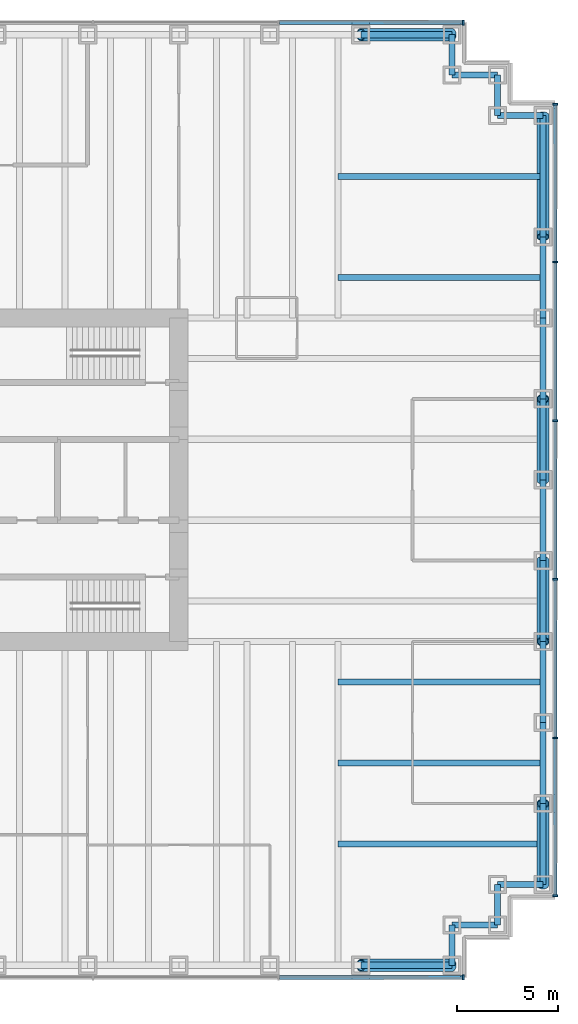
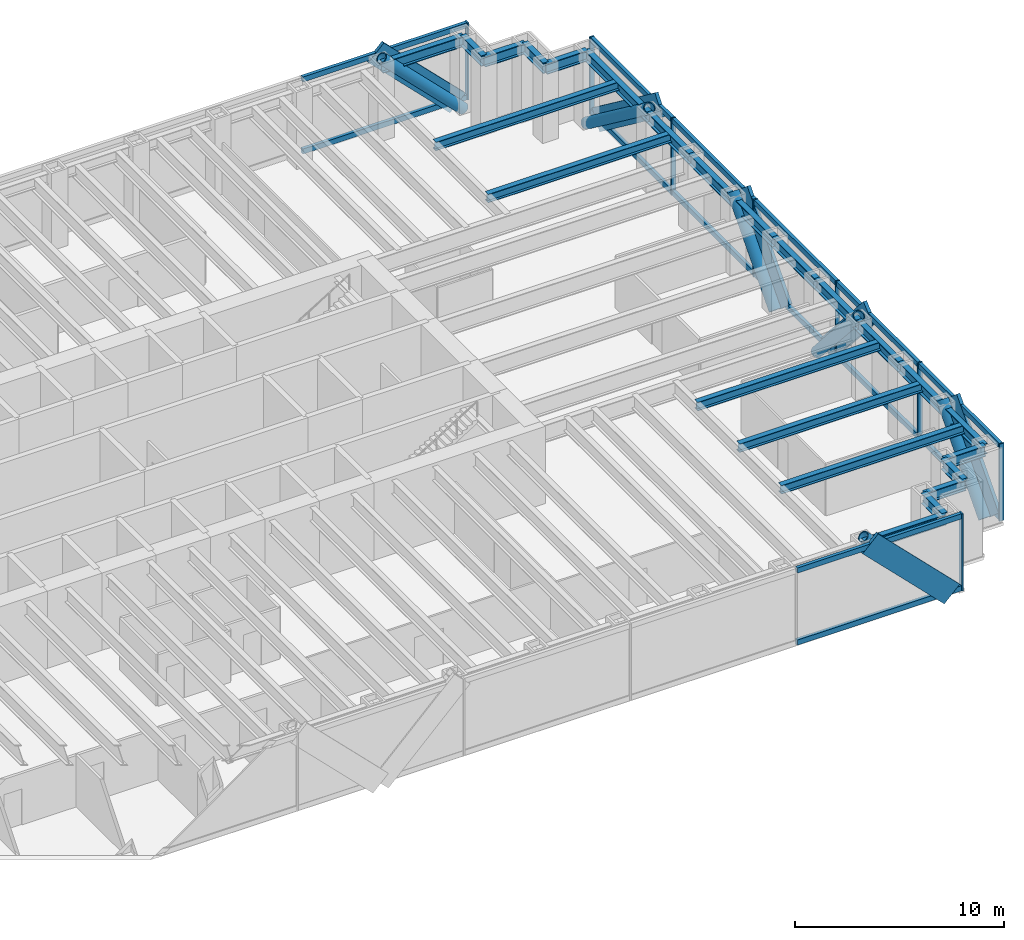
# One storey, part 7 of 13: 34 members, 24 beams, 3 elements without a shape of their own.
"""IFC4 building model written with IfcOpenShell, lengths in metres."""

from ifc_helpers import new_model, si_unit, direction, frame, origin, origin_2d, place, context, subcontext, project, spatial, rectangle, hollow_circle, i_section, extrude, material, material_profile, profile_set, type_object, element, aggregate, save


model = new_model("IFC4")

# Units and contexts
model_context = context("Model", 3, precision=1e-05, world=origin(), true_north=direction((0.0, 1.0)))
body_context = subcontext(model_context, "Body", "Model", "MODEL_VIEW")
ifc_project = project(units=[si_unit("LENGTHUNIT", "METRE"), si_unit("AREAUNIT", "SQUARE_METRE"), si_unit("VOLUMEUNIT", "CUBIC_METRE"), si_unit("PLANEANGLEUNIT", "RADIAN"), si_unit("MASSUNIT", "GRAM", prefix="KILO")], contexts=[model_context])

# Site, building, storey
site_placement = place(None, origin())
site = spatial("IfcSite", under=ifc_project, at=site_placement, CompositionType="ELEMENT")
building_placement = place(site_placement, origin())
building = spatial("IfcBuilding", under=site, at=building_placement, Name="Rheinbord Bourse Tower", CompositionType="ELEMENT")
storey_placement = place(building_placement, frame((0.0, 0.0, 63.5)))
storey = spatial("IfcBuildingStorey", under=building, at=storey_placement, Name="L13", CompositionType="ELEMENT", Elevation=63.5)

# Curtain wall, member
ifc_material_1 = material(Name="Dark glass and black aluminium", Category="aluminium")
curtain_wall_type = type_object("IfcCurtainWallType", Name="CW1 DARK GLASS CURTAIN WALL", PredefinedType="USERDEFINED", material=ifc_material_1)
curtain_wall_1_placement = place(storey_placement, origin())
curtain_wall_1 = element("IfcCurtainWall", 1, at=curtain_wall_1_placement, inside=storey, type_object=curtain_wall_type, Name="Curtain wall CW1 S L13", ObjectType="UNITISED CURTAIN WALL", PredefinedType="USERDEFINED")
ifc_material_2 = material(Name="Black anodised aluminium", Category="aluminium")
ifc_material_profile_1 = material_profile(ifc_material_2, rectangle(XDim=0.179931640625, YDim=1.2099609375, at=origin_2d()), Name="CW1 DIAGONAL MULLION 1210x180")
ifc_profile_set_1 = profile_set([ifc_material_profile_1], Name="Black anodised aluminium")
member_type_1 = type_object("IfcMemberType", Name="CW1 BLACK DIAGONAL MULLION", PredefinedType="USERDEFINED", material=ifc_profile_set_1)
member_1_placement = place(storey_placement, frame((67.5, -0.60009765625, 0.0), z_axis=(-0.707106781187, 0.0, 0.707106781187), x_axis=(0.0, -1.0, 0.0)))
member_1 = element("IfcMember", 2, at=member_1_placement, type_object=member_type_1, Name="CW1 diagonal mullion a", ObjectType="DIAGONAL MULLION", PredefinedType="USERDEFINED", context=body_context, shape_type="SweptSolid", body=[
    extrude(rectangle(XDim=0.179931640625, YDim=1.2099609375, at=origin_2d()), origin(), (0.0, 0.0, 1.0), 6.364013671875),
])

# Curtain wall, members
curtain_wall_2_placement = place(storey_placement, origin())
curtain_wall_2 = element("IfcCurtainWall", 3, at=curtain_wall_2_placement, inside=storey, type_object=curtain_wall_type, Name="Curtain wall CW1 E L13", ObjectType="UNITISED CURTAIN WALL", PredefinedType="USERDEFINED")
member_2_placement = place(storey_placement, frame((72.60009765625, 20.0, 0.0), z_axis=(0.0, -0.66436383883, 0.747409318684), x_axis=(1.0, 0.0, 0.0)))
member_2 = element("IfcMember", 4, at=member_2_placement, type_object=member_type_1, Name="CW1 diagonal mullion a", ObjectType="DIAGONAL MULLION", PredefinedType="USERDEFINED", context=body_context, shape_type="SweptSolid", body=[
    extrude(rectangle(XDim=0.179931640625, YDim=1.2099609375, at=origin_2d()), origin(), (0.0, 0.0, 1.0), 6.020751953125),
])
member_3_placement = place(storey_placement, frame((72.60009765625, 24.0, 0.0), z_axis=(0.0, 0.66436383883, 0.747409318684), x_axis=(-1.0, 0.0, 0.0)))
member_3 = element("IfcMember", 5, at=member_3_placement, type_object=member_type_1, Name="CW1 diagonal mullion b", ObjectType="DIAGONAL MULLION", PredefinedType="USERDEFINED", context=body_context, shape_type="SweptSolid", body=[
    extrude(rectangle(XDim=0.179931640625, YDim=1.2099609375, at=origin_2d()), origin(), (0.0, 0.0, 1.0), 6.020751953125),
])
member_4_placement = place(storey_placement, frame((72.60009765625, 4.0, 0.0), z_axis=(0.0, 0.66436383883, 0.747409318684), x_axis=(-1.0, 0.0, 0.0)))
member_4 = element("IfcMember", 6, at=member_4_placement, type_object=member_type_1, Name="CW1 diagonal mullion c", ObjectType="DIAGONAL MULLION", PredefinedType="USERDEFINED", context=body_context, shape_type="SweptSolid", body=[
    extrude(rectangle(XDim=0.179931640625, YDim=1.2099609375, at=origin_2d()), origin(), (0.0, 0.0, 1.0), 6.020751953125),
])
member_5_placement = place(storey_placement, frame((72.60009765625, 42.0, 0.0), z_axis=(0.0, -0.8, 0.6), x_axis=(1.0, 0.0, 0.0)))
member_5 = element("IfcMember", 7, at=member_5_placement, type_object=member_type_1, Name="CW1 diagonal mullion d", ObjectType="DIAGONAL MULLION", PredefinedType="USERDEFINED", context=body_context, shape_type="SweptSolid", body=[
    extrude(rectangle(XDim=0.179931640625, YDim=1.2099609375, at=origin_2d()), origin(), (0.0, 0.0, 1.0), 7.5),
])

# Curtain wall, member
curtain_wall_3_placement = place(storey_placement, origin())
curtain_wall_3 = element("IfcCurtainWall", 8, at=curtain_wall_3_placement, inside=storey, type_object=curtain_wall_type, Name="Curtain wall CW1 N L13", ObjectType="UNITISED CURTAIN WALL", PredefinedType="USERDEFINED")
member_6_placement = place(storey_placement, frame((67.5, 46.60009765625, 0.0), z_axis=(-0.707106781187, 0.0, 0.707106781187), x_axis=(0.0, -1.0, 0.0)))
member_6 = element("IfcMember", 9, at=member_6_placement, type_object=member_type_1, Name="CW1 diagonal mullion a", ObjectType="DIAGONAL MULLION", PredefinedType="USERDEFINED", context=body_context, shape_type="SweptSolid", body=[
    extrude(rectangle(XDim=0.179931640625, YDim=1.2099609375, at=origin_2d()), origin(), (0.0, 0.0, 1.0), 6.364013671875),
])

# Member
ifc_material_3 = material(Name="Black anodised aluminium", Category="aluminium")
ifc_material_profile_2 = material_profile(ifc_material_3, rectangle(XDim=0.25, YDim=0.080078125, at=origin_2d()), Name="CW1 MULLION 80x250")
ifc_profile_set_2 = profile_set([ifc_material_profile_2], Name="Black anodised aluminium")
member_type_2 = type_object("IfcMemberType", Name="CW1 BLACK MULLION", PredefinedType="MULLION", material=ifc_profile_set_2)
member_7_placement = place(storey_placement, frame((68.06005859375, -0.60009765625, 0.0), z_axis=(0.0, 0.0, 1.0), x_axis=(0.0, 1.0, 0.0)))
member_7 = element("IfcMember", 10, at=member_7_placement, type_object=member_type_2, Name="CW1 mullion 8", PredefinedType="MULLION", context=body_context, shape_type="SweptSolid", body=[
    extrude(rectangle(XDim=0.25, YDim=0.080078125, at=origin_2d()), origin(), (0.0, 0.0, 1.0), 4.5),
])

member_8_placement = place(storey_placement, frame((72.60009765625, 3.43994140625, 0.0), z_axis=(0.0, 0.0, 1.0), x_axis=(-1.0, 0.0, 0.0)))
member_8 = element("IfcMember", 11, at=member_8_placement, type_object=member_type_2, Name="CW1 mullion 1", PredefinedType="MULLION", context=body_context, shape_type="SweptSolid", body=[
    extrude(rectangle(XDim=0.25, YDim=0.080078125, at=origin_2d()), origin(), (0.0, 0.0, 1.0), 4.5),
])

member_9_placement = place(storey_placement, frame((72.60009765625, 11.239990234375, 0.0), z_axis=(0.0, 0.0, 1.0), x_axis=(-1.0, 0.0, 0.0)))
member_9 = element("IfcMember", 12, at=member_9_placement, type_object=member_type_2, Name="CW1 mullion 2", PredefinedType="MULLION", context=body_context, shape_type="SweptSolid", body=[
    extrude(rectangle(XDim=0.25, YDim=0.080078125, at=origin_2d()), origin(), (0.0, 0.0, 1.0), 4.5),
])

member_10_placement = place(storey_placement, frame((72.60009765625, 19.080078125, 0.0), z_axis=(0.0, 0.0, 1.0), x_axis=(-1.0, 0.0, 0.0)))
member_10 = element("IfcMember", 13, at=member_10_placement, type_object=member_type_2, Name="CW1 mullion 3", PredefinedType="MULLION", context=body_context, shape_type="SweptSolid", body=[
    extrude(rectangle(XDim=0.25, YDim=0.080078125, at=origin_2d()), origin(), (0.0, 0.0, 1.0), 4.5),
])

member_11_placement = place(storey_placement, frame((72.60009765625, 26.919921875, 0.0), z_axis=(0.0, 0.0, 1.0), x_axis=(-1.0, 0.0, 0.0)))
member_11 = element("IfcMember", 14, at=member_11_placement, type_object=member_type_2, Name="CW1 mullion 4", PredefinedType="MULLION", context=body_context, shape_type="SweptSolid", body=[
    extrude(rectangle(XDim=0.25, YDim=0.080078125, at=origin_2d()), origin(), (0.0, 0.0, 1.0), 4.5),
])

member_12_placement = place(storey_placement, frame((72.60009765625, 34.760009765625, 0.0), z_axis=(0.0, 0.0, 1.0), x_axis=(-1.0, 0.0, 0.0)))
member_12 = element("IfcMember", 15, at=member_12_placement, type_object=member_type_2, Name="CW1 mullion 5", PredefinedType="MULLION", context=body_context, shape_type="SweptSolid", body=[
    extrude(rectangle(XDim=0.25, YDim=0.080078125, at=origin_2d()), origin(), (0.0, 0.0, 1.0), 4.5),
])

member_13_placement = place(storey_placement, frame((72.60009765625, 42.56005859375, 0.0), z_axis=(0.0, 0.0, 1.0), x_axis=(-1.0, 0.0, 0.0)))
member_13 = element("IfcMember", 16, at=member_13_placement, type_object=member_type_2, Name="CW1 mullion 6", PredefinedType="MULLION", context=body_context, shape_type="SweptSolid", body=[
    extrude(rectangle(XDim=0.25, YDim=0.080078125, at=origin_2d()), origin(), (0.0, 0.0, 1.0), 4.5),
])

member_14_placement = place(storey_placement, frame((68.06005859375, 46.60009765625, 0.0), z_axis=(0.0, 0.0, 1.0), x_axis=(0.0, -1.0, 0.0)))
member_14 = element("IfcMember", 17, at=member_14_placement, type_object=member_type_2, Name="CW1 mullion 1", PredefinedType="MULLION", context=body_context, shape_type="SweptSolid", body=[
    extrude(rectangle(XDim=0.25, YDim=0.080078125, at=origin_2d()), origin(), (0.0, 0.0, 1.0), 4.5),
])

ifc_material_4 = material(Name="Black anodised aluminium", Category="aluminium")
ifc_material_profile_3 = material_profile(ifc_material_4, rectangle(XDim=0.179931640625, YDim=0.300048828125, at=origin_2d()), Name="CW1 TRANSOM 300x180")
ifc_profile_set_3 = profile_set([ifc_material_profile_3], Name="Black anodised aluminium")
member_type_3 = type_object("IfcMemberType", Name="CW1 BLACK TRANSOM", PredefinedType="USERDEFINED", material=ifc_profile_set_3)
member_15_placement = place(storey_placement, frame((58.968505859375, -0.60009765625, 0.14990234375), z_axis=(1.0, 0.0, 0.0), x_axis=(0.0, 1.0, 0.0)))
member_15 = element("IfcMember", 18, at=member_15_placement, type_object=member_type_3, Name="CW1 transom 7.1", ObjectType="TRANSOM", PredefinedType="USERDEFINED", context=body_context, shape_type="SweptSolid", body=[
    extrude(rectangle(XDim=0.179931640625, YDim=0.300048828125, at=origin_2d()), origin(), (0.0, 0.0, 1.0), 9.051513671875),
])

member_16_placement = place(storey_placement, frame((58.968505859375, -0.60009765625, 4.35009765625), z_axis=(1.0, 0.0, 0.0), x_axis=(0.0, 1.0, 0.0)))
member_16 = element("IfcMember", 19, at=member_16_placement, type_object=member_type_3, Name="CW1 transom 7.2", ObjectType="TRANSOM", PredefinedType="USERDEFINED", context=body_context, shape_type="SweptSolid", body=[
    extrude(rectangle(XDim=0.179931640625, YDim=0.300048828125, at=origin_2d()), origin(), (0.0, 0.0, 1.0), 9.051513671875),
])

aggregate(curtain_wall_1, [member_7, member_15, member_16, member_1])

member_17_placement = place(storey_placement, frame((72.60009765625, 3.47998046875, 0.14990234375), z_axis=(0.0, 1.0, 0.0), x_axis=(-1.0, 0.0, 0.0)))
member_17 = element("IfcMember", 20, at=member_17_placement, type_object=member_type_3, Name="CW1 transom 1.1", ObjectType="TRANSOM", PredefinedType="USERDEFINED", context=body_context, shape_type="SweptSolid", body=[
    extrude(rectangle(XDim=0.179931640625, YDim=0.300048828125, at=origin_2d()), origin(), (0.0, 0.0, 1.0), 7.719970703125),
])

member_18_placement = place(storey_placement, frame((72.60009765625, 3.47998046875, 4.35009765625), z_axis=(0.0, 1.0, 0.0), x_axis=(-1.0, 0.0, 0.0)))
member_18 = element("IfcMember", 21, at=member_18_placement, type_object=member_type_3, Name="CW1 transom 1.2", ObjectType="TRANSOM", PredefinedType="USERDEFINED", context=body_context, shape_type="SweptSolid", body=[
    extrude(rectangle(XDim=0.179931640625, YDim=0.300048828125, at=origin_2d()), origin(), (0.0, 0.0, 1.0), 7.719970703125),
])

member_19_placement = place(storey_placement, frame((72.60009765625, 11.280029296875, 0.14990234375), z_axis=(0.0, 1.0, 0.0), x_axis=(-1.0, 0.0, 0.0)))
member_19 = element("IfcMember", 22, at=member_19_placement, type_object=member_type_3, Name="CW1 transom 2.1", ObjectType="TRANSOM", PredefinedType="USERDEFINED", context=body_context, shape_type="SweptSolid", body=[
    extrude(rectangle(XDim=0.179931640625, YDim=0.300048828125, at=origin_2d()), origin(), (0.0, 0.0, 1.0), 7.760009765625),
])

member_20_placement = place(storey_placement, frame((72.60009765625, 11.280029296875, 4.35009765625), z_axis=(0.0, 1.0, 0.0), x_axis=(-1.0, 0.0, 0.0)))
member_20 = element("IfcMember", 23, at=member_20_placement, type_object=member_type_3, Name="CW1 transom 2.2", ObjectType="TRANSOM", PredefinedType="USERDEFINED", context=body_context, shape_type="SweptSolid", body=[
    extrude(rectangle(XDim=0.179931640625, YDim=0.300048828125, at=origin_2d()), origin(), (0.0, 0.0, 1.0), 7.760009765625),
])

member_21_placement = place(storey_placement, frame((72.60009765625, 19.1201171875, 0.14990234375), z_axis=(0.0, 1.0, 0.0), x_axis=(-1.0, 0.0, 0.0)))
member_21 = element("IfcMember", 24, at=member_21_placement, type_object=member_type_3, Name="CW1 transom 3.1", ObjectType="TRANSOM", PredefinedType="USERDEFINED", context=body_context, shape_type="SweptSolid", body=[
    extrude(rectangle(XDim=0.179931640625, YDim=0.300048828125, at=origin_2d()), origin(), (0.0, 0.0, 1.0), 7.759765625),
])

member_22_placement = place(storey_placement, frame((72.60009765625, 19.1201171875, 4.35009765625), z_axis=(0.0, 1.0, 0.0), x_axis=(-1.0, 0.0, 0.0)))
member_22 = element("IfcMember", 25, at=member_22_placement, type_object=member_type_3, Name="CW1 transom 3.2", ObjectType="TRANSOM", PredefinedType="USERDEFINED", context=body_context, shape_type="SweptSolid", body=[
    extrude(rectangle(XDim=0.179931640625, YDim=0.300048828125, at=origin_2d()), origin(), (0.0, 0.0, 1.0), 7.759765625),
])

member_23_placement = place(storey_placement, frame((72.60009765625, 26.9599609375, 0.14990234375), z_axis=(0.0, 1.0, 0.0), x_axis=(-1.0, 0.0, 0.0)))
member_23 = element("IfcMember", 26, at=member_23_placement, type_object=member_type_3, Name="CW1 transom 4.1", ObjectType="TRANSOM", PredefinedType="USERDEFINED", context=body_context, shape_type="SweptSolid", body=[
    extrude(rectangle(XDim=0.179931640625, YDim=0.300048828125, at=origin_2d()), origin(), (0.0, 0.0, 1.0), 7.760009765625),
])

member_24_placement = place(storey_placement, frame((72.60009765625, 26.9599609375, 4.35009765625), z_axis=(0.0, 1.0, 0.0), x_axis=(-1.0, 0.0, 0.0)))
member_24 = element("IfcMember", 27, at=member_24_placement, type_object=member_type_3, Name="CW1 transom 4.2", ObjectType="TRANSOM", PredefinedType="USERDEFINED", context=body_context, shape_type="SweptSolid", body=[
    extrude(rectangle(XDim=0.179931640625, YDim=0.300048828125, at=origin_2d()), origin(), (0.0, 0.0, 1.0), 7.760009765625),
])

member_25_placement = place(storey_placement, frame((72.60009765625, 34.800048828125, 0.14990234375), z_axis=(0.0, 1.0, 0.0), x_axis=(-1.0, 0.0, 0.0)))
member_25 = element("IfcMember", 28, at=member_25_placement, type_object=member_type_3, Name="CW1 transom 5.1", ObjectType="TRANSOM", PredefinedType="USERDEFINED", context=body_context, shape_type="SweptSolid", body=[
    extrude(rectangle(XDim=0.179931640625, YDim=0.300048828125, at=origin_2d()), origin(), (0.0, 0.0, 1.0), 7.719970703125),
])

member_26_placement = place(storey_placement, frame((72.60009765625, 34.800048828125, 4.35009765625), z_axis=(0.0, 1.0, 0.0), x_axis=(-1.0, 0.0, 0.0)))
member_26 = element("IfcMember", 29, at=member_26_placement, type_object=member_type_3, Name="CW1 transom 5.2", ObjectType="TRANSOM", PredefinedType="USERDEFINED", context=body_context, shape_type="SweptSolid", body=[
    extrude(rectangle(XDim=0.179931640625, YDim=0.300048828125, at=origin_2d()), origin(), (0.0, 0.0, 1.0), 7.719970703125),
])

aggregate(curtain_wall_2, [member_8, member_9, member_10, member_11, member_12, member_13, member_17, member_18, member_19, member_20, member_21, member_22, member_23, member_24, member_25, member_26, member_2, member_3, member_4, member_5])

member_27_placement = place(storey_placement, frame((68.02001953125, 46.60009765625, 0.14990234375), z_axis=(-1.0, 0.0, 0.0), x_axis=(0.0, -1.0, 0.0)))
member_27 = element("IfcMember", 30, at=member_27_placement, type_object=member_type_3, Name="CW1 transom 1.1", ObjectType="TRANSOM", PredefinedType="USERDEFINED", context=body_context, shape_type="SweptSolid", body=[
    extrude(rectangle(XDim=0.179931640625, YDim=0.300048828125, at=origin_2d()), origin(), (0.0, 0.0, 1.0), 9.051513671875),
])

member_28_placement = place(storey_placement, frame((68.02001953125, 46.60009765625, 4.35009765625), z_axis=(-1.0, 0.0, 0.0), x_axis=(0.0, -1.0, 0.0)))
member_28 = element("IfcMember", 31, at=member_28_placement, type_object=member_type_3, Name="CW1 transom 1.2", ObjectType="TRANSOM", PredefinedType="USERDEFINED", context=body_context, shape_type="SweptSolid", body=[
    extrude(rectangle(XDim=0.179931640625, YDim=0.300048828125, at=origin_2d()), origin(), (0.0, 0.0, 1.0), 9.051513671875),
])

aggregate(curtain_wall_3, [member_14, member_27, member_28, member_6])

# Members
ifc_material_5 = material(Name="Steel S460", Category="steel")
ifc_material_profile_4 = material_profile(ifc_material_5, hollow_circle(Radius=0.304931640625, WallThickness=0.050048828125, at=origin_2d()), Name="CHS 610x50")
ifc_profile_set_4 = profile_set([ifc_material_profile_4], Name="Steel S460")
member_type_4 = type_object("IfcMemberType", Name="MEGABRACE CHS 610x50", PredefinedType="BRACE", material=ifc_profile_set_4)
member_29_placement = place(storey_placement, frame((67.5, 0.0, 0.0), z_axis=(-0.707106781187, 0.0, 0.707106781187), x_axis=(0.0, -1.0, 0.0)))
element("IfcMember", 32, at=member_29_placement, inside=storey, type_object=member_type_4, Name="Megabrace S face line a L13", PredefinedType="BRACE", context=body_context, shape_type="SweptSolid", body=[
    extrude(hollow_circle(Radius=0.304931640625, WallThickness=0.050048828125, at=origin_2d()), origin(), (0.0, 0.0, 1.0), 6.364013671875),
])
for number, where, z_axis, x_axis, name in (
    (33, (72.0, 20.0, 0.0), (0.0, -0.66436383883, 0.747409318684), (1.0, 0.0, 0.0), "Megabrace E face line a L13"),
    (34, (72.0, 24.0, 0.0), (0.0, 0.66436383883, 0.747409318684), (-1.0, 0.0, 0.0), "Megabrace E face line b L13"),
    (35, (72.0, 4.0, 0.0), (0.0, 0.66436383883, 0.747409318684), (-1.0, 0.0, 0.0), "Megabrace E face line c L13"),
):
    element("IfcMember", number, at=place(storey_placement, frame(where, z_axis=z_axis, x_axis=x_axis)), inside=storey, type_object=member_type_4, Name=name, PredefinedType="BRACE", context=body_context, shape_type="SweptSolid", body=[
        extrude(hollow_circle(Radius=0.304931640625, WallThickness=0.050048828125, at=origin_2d()), origin(), (0.0, 0.0, 1.0), 6.020751953125),
    ])
member_30_placement = place(storey_placement, frame((72.0, 42.0, 0.0), z_axis=(0.0, -0.8, 0.6), x_axis=(1.0, 0.0, 0.0)))
element("IfcMember", 36, at=member_30_placement, inside=storey, type_object=member_type_4, Name="Megabrace E face line d L13", PredefinedType="BRACE", context=body_context, shape_type="SweptSolid", body=[
    extrude(hollow_circle(Radius=0.304931640625, WallThickness=0.050048828125, at=origin_2d()), origin(), (0.0, 0.0, 1.0), 7.5),
])
member_31_placement = place(storey_placement, frame((67.5, 46.0, 0.0), z_axis=(-0.707106781187, 0.0, 0.707106781187), x_axis=(0.0, -1.0, 0.0)))
element("IfcMember", 37, at=member_31_placement, inside=storey, type_object=member_type_4, Name="Megabrace N face line a L13", PredefinedType="BRACE", context=body_context, shape_type="SweptSolid", body=[
    extrude(hollow_circle(Radius=0.304931640625, WallThickness=0.050048828125, at=origin_2d()), origin(), (0.0, 0.0, 1.0), 6.364013671875),
])

# Beams
ifc_material_6 = material(Name="Steel S460", Category="steel")
ifc_material_profile_5 = material_profile(ifc_material_6, i_section(OverallWidth=0.304931640625, OverallDepth=0.6201171875, WebThickness=0.02099609375, FlangeThickness=0.0400390625, at=origin_2d()), Name="HEM 600")
ifc_profile_set_5 = profile_set([ifc_material_profile_5], Name="Steel S460")
beam_type_1 = type_object("IfcBeamType", Name="SPANDREL HEM 600", PredefinedType="SPANDREL", material=ifc_profile_set_5)
beam_1_placement = place(storey_placement, frame((63.0, 0.0, 4.010009765625), z_axis=(1.0, 0.0, 0.0), x_axis=(0.0, 1.0, 0.0)))
element("IfcBeam", 38, at=beam_1_placement, inside=storey, type_object=beam_type_1, Name="Spandrel S-63-SE-E under L14", PredefinedType="SPANDREL", context=body_context, shape_type="SweptSolid", body=[
    extrude(i_section(OverallWidth=0.304931640625, OverallDepth=0.6201171875, WebThickness=0.02099609375, FlangeThickness=0.0400390625, at=origin_2d()), origin(), (0.0, 0.0, 1.0), 4.5),
])
beam_2_placement = place(storey_placement, frame((67.5, 0.0, 4.010009765625), z_axis=(0.0, 1.0, 0.0), x_axis=(-1.0, 0.0, 0.0)))
element("IfcBeam", 39, at=beam_2_placement, inside=storey, type_object=beam_type_1, Name="Spandrel SE-E-SE-D under L14", PredefinedType="SPANDREL", context=body_context, shape_type="SweptSolid", body=[
    extrude(i_section(OverallWidth=0.304931640625, OverallDepth=0.6201171875, WebThickness=0.02099609375, FlangeThickness=0.0400390625, at=origin_2d()), origin(), (0.0, 0.0, 1.0), 2.0),
])
beam_3_placement = place(storey_placement, frame((67.5, 2.0, 4.010009765625), z_axis=(1.0, 0.0, 0.0), x_axis=(0.0, 1.0, 0.0)))
element("IfcBeam", 40, at=beam_3_placement, inside=storey, type_object=beam_type_1, Name="Spandrel SE-D-SE-C under L14", PredefinedType="SPANDREL", context=body_context, shape_type="SweptSolid", body=[
    extrude(i_section(OverallWidth=0.304931640625, OverallDepth=0.6201171875, WebThickness=0.02099609375, FlangeThickness=0.0400390625, at=origin_2d()), origin(), (0.0, 0.0, 1.0), 2.25),
])
beam_4_placement = place(storey_placement, frame((69.75, 2.0, 4.010009765625), z_axis=(0.0, 1.0, 0.0), x_axis=(-1.0, 0.0, 0.0)))
element("IfcBeam", 41, at=beam_4_placement, inside=storey, type_object=beam_type_1, Name="Spandrel SE-C-SE-B under L14", PredefinedType="SPANDREL", context=body_context, shape_type="SweptSolid", body=[
    extrude(i_section(OverallWidth=0.304931640625, OverallDepth=0.6201171875, WebThickness=0.02099609375, FlangeThickness=0.0400390625, at=origin_2d()), origin(), (0.0, 0.0, 1.0), 2.0),
])
beam_5_placement = place(storey_placement, frame((69.75, 4.0, 4.010009765625), z_axis=(1.0, 0.0, 0.0), x_axis=(0.0, 1.0, 0.0)))
element("IfcBeam", 42, at=beam_5_placement, inside=storey, type_object=beam_type_1, Name="Spandrel SE-B-SE-A under L14", PredefinedType="SPANDREL", context=body_context, shape_type="SweptSolid", body=[
    extrude(i_section(OverallWidth=0.304931640625, OverallDepth=0.6201171875, WebThickness=0.02099609375, FlangeThickness=0.0400390625, at=origin_2d()), origin(), (0.0, 0.0, 1.0), 2.25),
])
for number, where, z_axis, x_axis, name in (
    (43, (72.0, 4.0, 4.010009765625), (0.0, 1.0, 0.0), (-1.0, 0.0, 0.0), "Spandrel SE-A-E-8 under L14"),
    (44, (72.0, 8.0, 4.010009765625), (0.0, 1.0, 0.0), (-1.0, 0.0, 0.0), "Spandrel E-8-E-12 under L14"),
    (45, (72.0, 12.0, 4.010009765625), (0.0, 1.0, 0.0), (-1.0, 0.0, 0.0), "Spandrel E-12-E-16 under L14"),
    (46, (72.0, 16.0, 4.010009765625), (0.0, 1.0, 0.0), (-1.0, 0.0, 0.0), "Spandrel E-16-E-20 under L14"),
    (47, (72.0, 20.0, 4.010009765625), (0.0, 1.0, 0.0), (-1.0, 0.0, 0.0), "Spandrel E-20-E-24 under L14"),
    (48, (72.0, 24.0, 4.010009765625), (0.0, 1.0, 0.0), (-1.0, 0.0, 0.0), "Spandrel E-24-E-28 under L14"),
    (49, (72.0, 28.0, 4.010009765625), (0.0, 1.0, 0.0), (-1.0, 0.0, 0.0), "Spandrel E-28-E-32 under L14"),
    (50, (72.0, 32.0, 4.010009765625), (0.0, 1.0, 0.0), (-1.0, 0.0, 0.0), "Spandrel E-32-E-36 under L14"),
):
    element("IfcBeam", number, at=place(storey_placement, frame(where, z_axis=z_axis, x_axis=x_axis)), inside=storey, type_object=beam_type_1, Name=name, PredefinedType="SPANDREL", context=body_context, shape_type="SweptSolid", body=[
        extrude(i_section(OverallWidth=0.304931640625, OverallDepth=0.6201171875, WebThickness=0.02099609375, FlangeThickness=0.0400390625, at=origin_2d()), origin(), (0.0, 0.0, 1.0), 4.0),
    ])
beam_6_placement = place(storey_placement, frame((72.0, 36.0, 4.010009765625), z_axis=(0.0, 1.0, 0.0), x_axis=(-1.0, 0.0, 0.0)))
element("IfcBeam", 51, at=beam_6_placement, inside=storey, type_object=beam_type_1, Name="Spandrel E-36-NE-A under L14", PredefinedType="SPANDREL", context=body_context, shape_type="SweptSolid", body=[
    extrude(i_section(OverallWidth=0.304931640625, OverallDepth=0.6201171875, WebThickness=0.02099609375, FlangeThickness=0.0400390625, at=origin_2d()), origin(), (0.0, 0.0, 1.0), 6.0),
])
beam_7_placement = place(storey_placement, frame((72.0, 42.0, 4.010009765625), z_axis=(-1.0, 0.0, 0.0), x_axis=(0.0, -1.0, 0.0)))
element("IfcBeam", 52, at=beam_7_placement, inside=storey, type_object=beam_type_1, Name="Spandrel NE-A-NE-B under L14", PredefinedType="SPANDREL", context=body_context, shape_type="SweptSolid", body=[
    extrude(i_section(OverallWidth=0.304931640625, OverallDepth=0.6201171875, WebThickness=0.02099609375, FlangeThickness=0.0400390625, at=origin_2d()), origin(), (0.0, 0.0, 1.0), 2.25),
])
beam_8_placement = place(storey_placement, frame((69.75, 42.0, 4.010009765625), z_axis=(0.0, 1.0, 0.0), x_axis=(-1.0, 0.0, 0.0)))
element("IfcBeam", 53, at=beam_8_placement, inside=storey, type_object=beam_type_1, Name="Spandrel NE-B-NE-C under L14", PredefinedType="SPANDREL", context=body_context, shape_type="SweptSolid", body=[
    extrude(i_section(OverallWidth=0.304931640625, OverallDepth=0.6201171875, WebThickness=0.02099609375, FlangeThickness=0.0400390625, at=origin_2d()), origin(), (0.0, 0.0, 1.0), 2.0),
])
beam_9_placement = place(storey_placement, frame((69.75, 44.0, 4.010009765625), z_axis=(-1.0, 0.0, 0.0), x_axis=(0.0, -1.0, 0.0)))
element("IfcBeam", 54, at=beam_9_placement, inside=storey, type_object=beam_type_1, Name="Spandrel NE-C-NE-D under L14", PredefinedType="SPANDREL", context=body_context, shape_type="SweptSolid", body=[
    extrude(i_section(OverallWidth=0.304931640625, OverallDepth=0.6201171875, WebThickness=0.02099609375, FlangeThickness=0.0400390625, at=origin_2d()), origin(), (0.0, 0.0, 1.0), 2.25),
])
beam_10_placement = place(storey_placement, frame((67.5, 44.0, 4.010009765625), z_axis=(0.0, 1.0, 0.0), x_axis=(-1.0, 0.0, 0.0)))
element("IfcBeam", 55, at=beam_10_placement, inside=storey, type_object=beam_type_1, Name="Spandrel NE-D-NE-E under L14", PredefinedType="SPANDREL", context=body_context, shape_type="SweptSolid", body=[
    extrude(i_section(OverallWidth=0.304931640625, OverallDepth=0.6201171875, WebThickness=0.02099609375, FlangeThickness=0.0400390625, at=origin_2d()), origin(), (0.0, 0.0, 1.0), 2.0),
])
beam_11_placement = place(storey_placement, frame((67.5, 46.0, 4.010009765625), z_axis=(-1.0, 0.0, 0.0), x_axis=(0.0, -1.0, 0.0)))
element("IfcBeam", 56, at=beam_11_placement, inside=storey, type_object=beam_type_1, Name="Spandrel NE-E-N-63 under L14", PredefinedType="SPANDREL", context=body_context, shape_type="SweptSolid", body=[
    extrude(i_section(OverallWidth=0.304931640625, OverallDepth=0.6201171875, WebThickness=0.02099609375, FlangeThickness=0.0400390625, at=origin_2d()), origin(), (0.0, 0.0, 1.0), 4.5),
])
ifc_material_7 = material(Name="Steel S460", Category="steel")
ifc_material_profile_6 = material_profile(ifc_material_7, i_section(OverallWidth=0.300048828125, OverallDepth=0.5, WebThickness=0.014404296875, FlangeThickness=0.028076171875, at=origin_2d()), Name="HEB 500")
ifc_profile_set_6 = profile_set([ifc_material_profile_6], Name="Steel S460")
beam_type_2 = type_object("IfcBeamType", Name="TIE BEAM HEB 500", PredefinedType="JOIST", material=ifc_profile_set_6)
for number, where, z_axis, x_axis, name in (
    (57, (61.875, 6.0, 4.070068359375), (1.0, 0.0, 0.0), (0.0, 1.0, 0.0), "Tie east 6 L14"),
    (58, (61.875, 10.0, 4.070068359375), (1.0, 0.0, 0.0), (0.0, 1.0, 0.0), "Tie east 10 L14"),
    (59, (61.875, 14.0, 4.070068359375), (1.0, 0.0, 0.0), (0.0, 1.0, 0.0), "Tie east 14 L14"),
    (60, (61.875, 34.0, 4.070068359375), (1.0, 0.0, 0.0), (0.0, 1.0, 0.0), "Tie east 34 L14"),
    (61, (61.875, 39.0, 4.070068359375), (1.0, 0.0, 0.0), (0.0, 1.0, 0.0), "Tie east 39 L14"),
):
    element("IfcBeam", number, at=place(storey_placement, frame(where, z_axis=z_axis, x_axis=x_axis)), inside=storey, type_object=beam_type_2, Name=name, PredefinedType="JOIST", context=body_context, shape_type="SweptSolid", body=[
        extrude(i_section(OverallWidth=0.300048828125, OverallDepth=0.5, WebThickness=0.014404296875, FlangeThickness=0.028076171875, at=origin_2d()), origin(), (0.0, 0.0, 1.0), 10.125),
    ])

save(model, "model.ifc")
